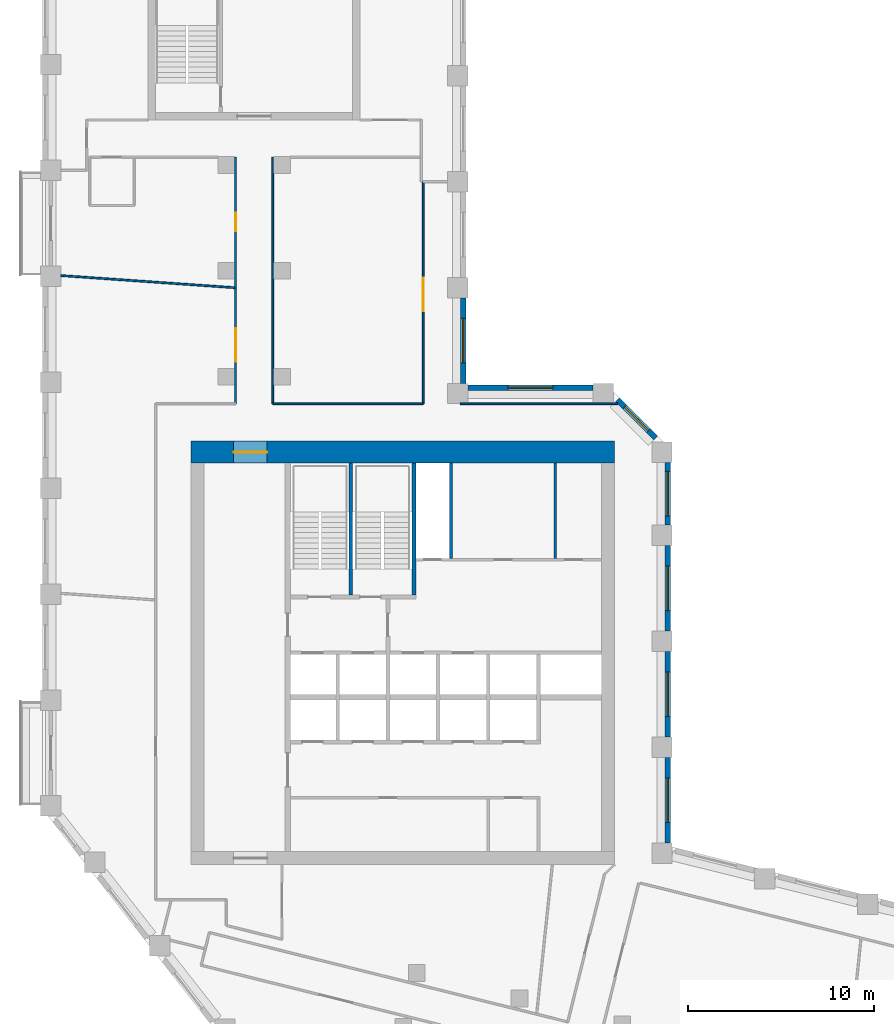
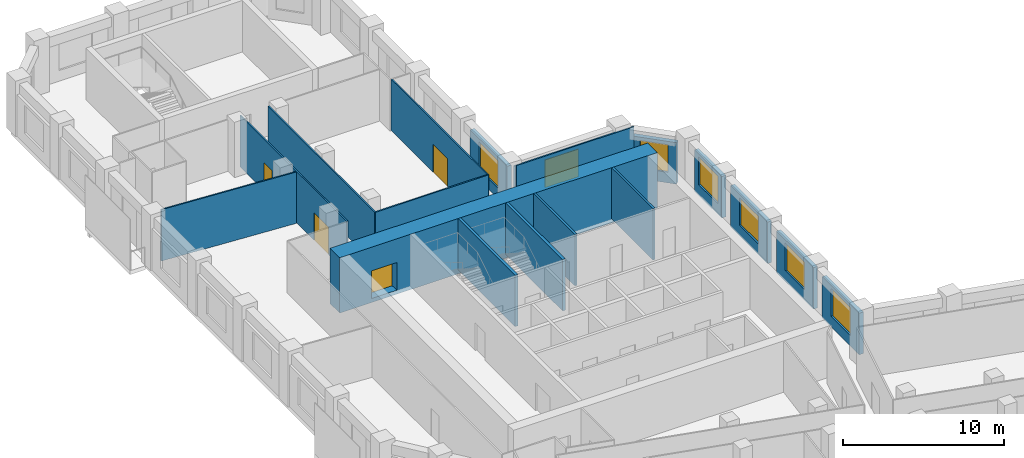
# One storey, part 6 of 10: 18 walls, 7 windows, 4 doors, 11 openings.
"""IFC4 building model written with IfcOpenShell, lengths in metres."""

from ifc_helpers import new_model, si_unit, direction, frame, frame_2d, origin, place, context, subcontext, project, spatial, rectangle, extrude, material, layer, layer_set, type_object, element, fill, save


model = new_model("IFC4")

# Units and contexts
model_context = context("Model", 3, precision=1e-05, world=origin(), true_north=direction((0.0, 1.0)))
body_context = subcontext(model_context, "Body", "Model", "MODEL_VIEW")
ifc_project = project(units=[si_unit("LENGTHUNIT", "METRE"), si_unit("AREAUNIT", "SQUARE_METRE"), si_unit("VOLUMEUNIT", "CUBIC_METRE"), si_unit("PLANEANGLEUNIT", "RADIAN"), si_unit("MASSUNIT", "GRAM", prefix="KILO")], contexts=[model_context])

# Site, building, storey
site_placement = place(None, origin())
site = spatial("IfcSite", under=ifc_project, at=site_placement, CompositionType="ELEMENT")
building_placement = place(site_placement, origin())
building = spatial("IfcBuilding", under=site, at=building_placement, Name="Meshkara Civic Tower", CompositionType="ELEMENT")
storey_placement = place(building_placement, frame((0.0, 0.0, 234.0)))
storey = spatial("IfcBuildingStorey", under=building, at=storey_placement, Name="L53", CompositionType="ELEMENT", Elevation=234.0)

# Walls
ifc_material_1 = material(Name="Blockwork", Category="masonry")
ifc_layer_1 = layer(ifc_material_1, 0.14990234375)
ifc_layer_set_1 = layer_set([ifc_layer_1], Name="Core partition 150")
wall_type_1 = type_object("IfcWallType", Name="Core partition 150", PredefinedType="PARTITIONING", material=ifc_layer_set_1)
for number, where, z_axis, x_axis, name in (
    (1, (22.0, 30.574951171875, 0.0), (0.0, 0.0, 1.0), (0.0, 1.0, 0.0), "L53-C017"),
    (2, (27.60009765625, 30.574951171875, 0.0), (0.0, 0.0, 1.0), (0.0, 1.0, 0.0), "L53-C022"),
):
    element("IfcWall", number, at=place(storey_placement, frame(where, z_axis=z_axis, x_axis=x_axis)), inside=storey, type_object=wall_type_1, Name=name, PredefinedType="PARTITIONING", context=body_context, shape_type="SweptSolid", body=[
        extrude(rectangle(XDim=5.125, YDim=0.14990234375, at=frame_2d((2.5625, 0.0))), origin(), (0.0, 0.0, 1.0), 3.89990234375),
    ])

# Wall, opening, door
ifc_material_2 = material(Name="Concrete C60", Category="concrete")
ifc_layer_2 = layer(ifc_material_2, 1.199951171875)
ifc_layer_set_2 = layer_set([ifc_layer_2], Name="Core ring wall 1200 C60")
wall_type_2 = type_object("IfcWallType", Name="Core ring wall 1200 C60", PredefinedType="SHEAR", material=ifc_layer_set_2)
wall_1_placement = place(storey_placement, frame((8.0, 36.300048828125, -0.300048828125), z_axis=(0.0, 0.0, 1.0), x_axis=(1.0, 0.0, 0.0)))
wall_1 = element("IfcWall", 3, at=wall_1_placement, inside=storey, type_object=wall_type_2, Name="L53-C002", PredefinedType="SHEAR", context=body_context, shape_type="SweptSolid", body=[
    extrude(rectangle(XDim=22.800048828125, YDim=1.199951171875, at=frame_2d((11.39990234375, 0.0))), origin(), (0.0, 0.0, 1.0), 4.199951171875),
])
opening_1_placement = place(wall_1_placement, frame((2.300048828125, 0.0, 0.300048828125)))
opening_1 = element("IfcOpeningElement", 4, at=opening_1_placement, cuts=wall_1, Name="Opening L53-K020", PredefinedType="OPENING", context=body_context, shape_type="SweptSolid", body=[
    extrude(rectangle(XDim=1.800048828125, YDim=2.10009765625, at=frame_2d((0.89990234375, 1.050048828125))), frame((0.0, 0.60986328125, 0.0), z_axis=(0.0, -1.0, 0.0), x_axis=(1.0, 0.0, 0.0)), (0.0, 0.0, 1.0), 1.219970703125),
])
ifc_material_3 = material(Name="Fire-rated door leaf in steel frame", Category="steel")
door_type_1 = type_object("IfcDoorType", Name="Core double door 1800 EI 60", OperationType="DOUBLE_DOOR_SINGLE_SWING", PredefinedType="DOOR", material=ifc_material_3)
door_1_placement = place(opening_1_placement, origin())
door_1 = element("IfcDoor", 5, at=door_1_placement, inside=storey, type_object=door_type_1, Name="L53-K020", OperationType="DOUBLE_DOOR_SINGLE_SWING", OverallHeight=2.10009765625, OverallWidth=1.800048828125, PredefinedType="DOOR", context=body_context, shape_type="SweptSolid", body=[
    extrude(rectangle(XDim=1.800048828125, YDim=2.10009765625, at=frame_2d((0.89990234375, 1.050048828125))), frame((0.0, 0.02490234375, 0.0), z_axis=(0.0, -1.0, 0.0), x_axis=(1.0, 0.0, 0.0)), (0.0, 0.0, 1.0), 0.050048828125),
])
fill(opening_1, door_1)

# Wall, openings, doors
ifc_material_4 = material(Name="Corridor wall 100")
ifc_layer_3 = layer(ifc_material_4, 0.10009765625)
ifc_layer_set_3 = layer_set([ifc_layer_3], Name="Corridor wall 100")
wall_type_3 = type_object("IfcWallType", Name="Corridor wall 100", PredefinedType="PARTITIONING", material=ifc_layer_set_3)
wall_2_placement = place(storey_placement, frame((10.39990234375, 52.169921875, 0.0), z_axis=(0.0, 0.0, 1.0), x_axis=(0.0, -1.0, 0.0)))
wall_2 = element("IfcWall", 6, at=wall_2_placement, inside=storey, type_object=wall_type_3, Name="L53-W012", PredefinedType="PARTITIONING", context=body_context, shape_type="SweptSolid", body=[
    extrude(rectangle(XDim=13.27001953125, YDim=0.10009765625, at=frame_2d((6.635009765625, 0.0))), origin(), (0.0, 0.0, 1.0), 3.89990234375),
])
opening_2_placement = place(wall_2_placement, frame((9.2060546875, 0.0, 0.0)))
opening_2 = element("IfcOpeningElement", 7, at=opening_2_placement, cuts=wall_2, Name="Opening L53-D014", PredefinedType="OPENING", context=body_context, shape_type="SweptSolid", body=[
    extrude(rectangle(XDim=1.800048828125, YDim=2.10009765625, at=frame_2d((0.89990234375, 1.050048828125))), frame((0.0, 0.06005859375, 0.0), z_axis=(0.0, -1.0, 0.0), x_axis=(1.0, 0.0, 0.0)), (0.0, 0.0, 1.0), 0.1201171875),
])
opening_3_placement = place(wall_2_placement, frame((2.97998046875, 0.0, 0.0)))
opening_3 = element("IfcOpeningElement", 8, at=opening_3_placement, cuts=wall_2, Name="Opening L53-D018", PredefinedType="OPENING", context=body_context, shape_type="SweptSolid", body=[
    extrude(rectangle(XDim=1.0, YDim=2.10009765625, at=frame_2d((0.5, 1.050048828125))), frame((0.0, 0.06005859375, 0.0), z_axis=(0.0, -1.0, 0.0), x_axis=(1.0, 0.0, 0.0)), (0.0, 0.0, 1.0), 0.1201171875),
])
ifc_material_5 = material(Name="Door 1000 x 2100")
door_type_2 = type_object("IfcDoorType", Name="Door 1000 x 2100", OperationType="SINGLE_SWING_LEFT", PredefinedType="DOOR", material=ifc_material_5)
door_2_placement = place(opening_3_placement, origin())
door_2 = element("IfcDoor", 9, at=door_2_placement, inside=storey, type_object=door_type_2, Name="L53-D018", OperationType="SINGLE_SWING_RIGHT", OverallHeight=2.10009765625, OverallWidth=1.0, PredefinedType="DOOR", context=body_context, shape_type="SweptSolid", body=[
    extrude(rectangle(XDim=1.0, YDim=2.10009765625, at=frame_2d((0.5, 1.050048828125))), frame((0.0, 0.02490234375, 0.0), z_axis=(0.0, -1.0, 0.0), x_axis=(1.0, 0.0, 0.0)), (0.0, 0.0, 1.0), 0.050048828125),
])
fill(opening_3, door_2)
ifc_material_6 = material(Name="Door pair 1800 x 2100")
door_type_3 = type_object("IfcDoorType", Name="Door pair 1800 x 2100", OperationType="SINGLE_SWING_LEFT", PredefinedType="DOOR", material=ifc_material_6)
door_3_placement = place(opening_2_placement, origin())
door_3 = element("IfcDoor", 10, at=door_3_placement, inside=storey, type_object=door_type_3, Name="L53-D014", OperationType="DOUBLE_DOOR_SINGLE_SWING", OverallHeight=2.10009765625, OverallWidth=1.800048828125, PredefinedType="DOOR", context=body_context, shape_type="SweptSolid", body=[
    extrude(rectangle(XDim=1.800048828125, YDim=2.10009765625, at=frame_2d((0.89990234375, 1.050048828125))), frame((0.0, 0.02490234375, 0.0), z_axis=(0.0, -1.0, 0.0), x_axis=(1.0, 0.0, 0.0)), (0.0, 0.0, 1.0), 0.050048828125),
])
fill(opening_2, door_3)

# Walls
wall_3_placement = place(storey_placement, frame((12.39990234375, 38.89990234375, 0.0), z_axis=(0.0, 0.0, 1.0), x_axis=(0.0, 1.0, 0.0)))
element("IfcWall", 11, at=wall_3_placement, inside=storey, type_object=wall_type_3, Name="L53-W013", PredefinedType="PARTITIONING", context=body_context, shape_type="SweptSolid", body=[
    extrude(rectangle(XDim=13.27001953125, YDim=0.10009765625, at=frame_2d((6.635009765625, 0.0))), origin(), (0.0, 0.0, 1.0), 3.89990234375),
])
wall_4_placement = place(storey_placement, frame((20.5, 38.89990234375, 0.0), z_axis=(0.0, 0.0, 1.0), x_axis=(-1.0, 0.0, 0.0)))
element("IfcWall", 12, at=wall_4_placement, inside=storey, type_object=wall_type_3, Name="L53-W018", PredefinedType="PARTITIONING", context=body_context, shape_type="SweptSolid", body=[
    extrude(rectangle(XDim=8.10009765625, YDim=0.10009765625, at=frame_2d((4.050048828125, 0.0))), origin(), (0.0, 0.0, 1.0), 3.89990234375),
])

# Wall, opening, door
wall_5_placement = place(storey_placement, frame((20.5, 50.85009765625, 0.0), z_axis=(0.0, 0.0, 1.0), x_axis=(0.0, -1.0, 0.0)))
wall_5 = element("IfcWall", 13, at=wall_5_placement, inside=storey, type_object=wall_type_3, Name="L53-W019", PredefinedType="PARTITIONING", context=body_context, shape_type="SweptSolid", body=[
    extrude(rectangle(XDim=11.9501953125, YDim=0.10009765625, at=frame_2d((5.97509765625, 0.0))), origin(), (0.0, 0.0, 1.0), 3.89990234375),
])
opening_4_placement = place(wall_5_placement, frame((5.179931640625, 0.0, 0.0)))
opening_4 = element("IfcOpeningElement", 14, at=opening_4_placement, cuts=wall_5, Name="Opening L53-D015", PredefinedType="OPENING", context=body_context, shape_type="SweptSolid", body=[
    extrude(rectangle(XDim=1.800048828125, YDim=2.10009765625, at=frame_2d((0.89990234375, 1.050048828125))), frame((0.0, 0.06005859375, 0.0), z_axis=(0.0, -1.0, 0.0), x_axis=(1.0, 0.0, 0.0)), (0.0, 0.0, 1.0), 0.1201171875),
])
door_4_placement = place(opening_4_placement, origin())
door_4 = element("IfcDoor", 15, at=door_4_placement, inside=storey, type_object=door_type_3, Name="L53-D015", OperationType="DOUBLE_DOOR_SINGLE_SWING", OverallHeight=2.10009765625, OverallWidth=1.800048828125, PredefinedType="DOOR", context=body_context, shape_type="SweptSolid", body=[
    extrude(rectangle(XDim=1.800048828125, YDim=2.10009765625, at=frame_2d((0.89990234375, 1.050048828125))), frame((0.0, 0.02490234375, 0.0), z_axis=(0.0, -1.0, 0.0), x_axis=(1.0, 0.0, 0.0)), (0.0, 0.0, 1.0), 0.050048828125),
])
fill(opening_4, door_4)

# Wall
wall_6_placement = place(storey_placement, frame((30.9560546875, 38.89990234375, 0.0), z_axis=(0.0, 0.0, 1.0), x_axis=(-1.0, 0.0, 0.0)))
element("IfcWall", 16, at=wall_6_placement, inside=storey, type_object=wall_type_3, Name="L53-W025", PredefinedType="PARTITIONING", context=body_context, shape_type="SweptSolid", body=[
    extrude(rectangle(XDim=8.4560546875, YDim=0.10009765625, at=frame_2d((4.22802734375, 0.0))), origin(), (0.0, 0.0, 1.0), 3.89990234375),
])

# Wall, opening, window
ifc_material_7 = material(Name="Insulated infill panel with bronze anodised aluminium cladding", Category="aluminium")
ifc_layer_4 = layer(ifc_material_7, 0.300048828125)
ifc_layer_set_4 = layer_set([ifc_layer_4], Name="EXTERNAL INFILL WALL 300")
wall_type_4 = type_object("IfcWallType", Name="EXTERNAL INFILL WALL 300", PredefinedType="SOLIDWALL", material=ifc_layer_set_4)
wall_7_placement = place(storey_placement, frame((33.64990234375, 15.26904296875, 0.0), z_axis=(0.0, 0.0, 1.0), x_axis=(0.0, 1.0, 0.0)))
wall_7 = element("IfcWall", 17, at=wall_7_placement, inside=storey, type_object=wall_type_4, Name="External wall", PredefinedType="SOLIDWALL", context=body_context, shape_type="SweptSolid", body=[
    extrude(rectangle(XDim=4.599853515625, YDim=0.300048828125, at=frame_2d((2.2998046875, 0.0))), origin(), (0.0, 0.0, 1.0), 3.14990234375),
])
opening_5_placement = place(wall_7_placement, frame((1.10009765625, 0.0, 0.800048828125)))
opening_5 = element("IfcOpeningElement", 18, at=opening_5_placement, cuts=wall_7, Name="Opening W7", PredefinedType="OPENING", context=body_context, shape_type="SweptSolid", body=[
    extrude(rectangle(XDim=2.39990234375, YDim=2.10009765625, at=frame_2d((1.199951171875, 1.050048828125))), frame((0.0, 0.159912109375, 0.0), z_axis=(0.0, -1.0, 0.0), x_axis=(1.0, 0.0, 0.0)), (0.0, 0.0, 1.0), 0.320068359375),
])
ifc_material_8 = material(Name="Tinted double glazing", Category="glass")
window_type_1 = type_object("IfcWindowType", Name="WINDOW 2400x2100", PartitioningType="DOUBLE_PANEL_VERTICAL", PredefinedType="WINDOW", material=ifc_material_8)
window_1_placement = place(opening_5_placement, origin())
window_1 = element("IfcWindow", 19, at=window_1_placement, inside=storey, type_object=window_type_1, Name="Window", OverallHeight=2.10009765625, OverallWidth=2.39990234375, PartitioningType="DOUBLE_PANEL_VERTICAL", PredefinedType="WINDOW", context=body_context, shape_type="SweptSolid", body=[
    extrude(rectangle(XDim=2.39990234375, YDim=2.10009765625, at=frame_2d((1.199951171875, 1.050048828125))), frame((0.0, 0.030029296875, 0.0), z_axis=(0.0, -1.0, 0.0), x_axis=(1.0, 0.0, 0.0)), (0.0, 0.0, 1.0), 0.06005859375),
])
fill(opening_5, window_1)

wall_8_placement = place(storey_placement, frame((33.64990234375, 20.968994140625, 0.0), z_axis=(0.0, 0.0, 1.0), x_axis=(0.0, 1.0, 0.0)))
wall_8 = element("IfcWall", 20, at=wall_8_placement, inside=storey, type_object=wall_type_4, Name="External wall", PredefinedType="SOLIDWALL", context=body_context, shape_type="SweptSolid", body=[
    extrude(rectangle(XDim=4.60009765625, YDim=0.300048828125, at=frame_2d((2.300048828125, 0.0))), origin(), (0.0, 0.0, 1.0), 3.14990234375),
])
opening_6_placement = place(wall_8_placement, frame((1.10009765625, 0.0, 0.800048828125)))
opening_6 = element("IfcOpeningElement", 21, at=opening_6_placement, cuts=wall_8, Name="Opening W7", PredefinedType="OPENING", context=body_context, shape_type="SweptSolid", body=[
    extrude(rectangle(XDim=2.39990234375, YDim=2.10009765625, at=frame_2d((1.199951171875, 1.050048828125))), frame((0.0, 0.159912109375, 0.0), z_axis=(0.0, -1.0, 0.0), x_axis=(1.0, 0.0, 0.0)), (0.0, 0.0, 1.0), 0.320068359375),
])
window_2_placement = place(opening_6_placement, origin())
window_2 = element("IfcWindow", 22, at=window_2_placement, inside=storey, type_object=window_type_1, Name="Window", OverallHeight=2.10009765625, OverallWidth=2.39990234375, PartitioningType="DOUBLE_PANEL_VERTICAL", PredefinedType="WINDOW", context=body_context, shape_type="SweptSolid", body=[
    extrude(rectangle(XDim=2.39990234375, YDim=2.10009765625, at=frame_2d((1.199951171875, 1.050048828125))), frame((0.0, 0.030029296875, 0.0), z_axis=(0.0, -1.0, 0.0), x_axis=(1.0, 0.0, 0.0)), (0.0, 0.0, 1.0), 0.06005859375),
])
fill(opening_6, window_2)

wall_9_placement = place(storey_placement, frame((33.64990234375, 26.6689453125, 0.0), z_axis=(0.0, 0.0, 1.0), x_axis=(0.0, 1.0, 0.0)))
wall_9 = element("IfcWall", 23, at=wall_9_placement, inside=storey, type_object=wall_type_4, Name="External wall", PredefinedType="SOLIDWALL", context=body_context, shape_type="SweptSolid", body=[
    extrude(rectangle(XDim=4.60009765625, YDim=0.300048828125, at=frame_2d((2.300048828125, 0.0))), origin(), (0.0, 0.0, 1.0), 3.14990234375),
])
opening_7_placement = place(wall_9_placement, frame((1.10009765625, 0.0, 0.800048828125)))
opening_7 = element("IfcOpeningElement", 24, at=opening_7_placement, cuts=wall_9, Name="Opening W7", PredefinedType="OPENING", context=body_context, shape_type="SweptSolid", body=[
    extrude(rectangle(XDim=2.39990234375, YDim=2.10009765625, at=frame_2d((1.199951171875, 1.050048828125))), frame((0.0, 0.159912109375, 0.0), z_axis=(0.0, -1.0, 0.0), x_axis=(1.0, 0.0, 0.0)), (0.0, 0.0, 1.0), 0.320068359375),
])
window_3_placement = place(opening_7_placement, origin())
window_3 = element("IfcWindow", 25, at=window_3_placement, inside=storey, type_object=window_type_1, Name="Window", OverallHeight=2.10009765625, OverallWidth=2.39990234375, PartitioningType="DOUBLE_PANEL_VERTICAL", PredefinedType="WINDOW", context=body_context, shape_type="SweptSolid", body=[
    extrude(rectangle(XDim=2.39990234375, YDim=2.10009765625, at=frame_2d((1.199951171875, 1.050048828125))), frame((0.0, 0.030029296875, 0.0), z_axis=(0.0, -1.0, 0.0), x_axis=(1.0, 0.0, 0.0)), (0.0, 0.0, 1.0), 0.06005859375),
])
fill(opening_7, window_3)

wall_10_placement = place(storey_placement, frame((33.64990234375, 32.368896484375, 0.0), z_axis=(0.0, 0.0, 1.0), x_axis=(0.0, 1.0, 0.0)))
wall_10 = element("IfcWall", 26, at=wall_10_placement, inside=storey, type_object=wall_type_4, Name="External wall", PredefinedType="SOLIDWALL", context=body_context, shape_type="SweptSolid", body=[
    extrude(rectangle(XDim=3.375, YDim=0.300048828125, at=frame_2d((1.6875, 0.0))), origin(), (0.0, 0.0, 1.0), 3.14990234375),
])
opening_8_placement = place(wall_10_placement, frame((0.488037109375, 0.0, 0.800048828125)))
opening_8 = element("IfcOpeningElement", 27, at=opening_8_placement, cuts=wall_10, Name="Opening W7", PredefinedType="OPENING", context=body_context, shape_type="SweptSolid", body=[
    extrude(rectangle(XDim=2.39990234375, YDim=2.10009765625, at=frame_2d((1.199951171875, 1.050048828125))), frame((0.0, 0.159912109375, 0.0), z_axis=(0.0, -1.0, 0.0), x_axis=(1.0, 0.0, 0.0)), (0.0, 0.0, 1.0), 0.320068359375),
])
window_4_placement = place(opening_8_placement, origin())
window_4 = element("IfcWindow", 28, at=window_4_placement, inside=storey, type_object=window_type_1, Name="Window", OverallHeight=2.10009765625, OverallWidth=2.39990234375, PartitioningType="DOUBLE_PANEL_VERTICAL", PredefinedType="WINDOW", context=body_context, shape_type="SweptSolid", body=[
    extrude(rectangle(XDim=2.39990234375, YDim=2.10009765625, at=frame_2d((1.199951171875, 1.050048828125))), frame((0.0, 0.030029296875, 0.0), z_axis=(0.0, -1.0, 0.0), x_axis=(1.0, 0.0, 0.0)), (0.0, 0.0, 1.0), 0.06005859375),
])
fill(opening_8, window_4)

wall_11_placement = place(storey_placement, frame((33.011962890625, 37.055908203125, 0.0), z_axis=(0.0, 0.0, 1.0), x_axis=(-0.707064797706, 0.707148762175, 0.0)))
wall_11 = element("IfcWall", 29, at=wall_11_placement, inside=storey, type_object=wall_type_4, Name="External wall", PredefinedType="SOLIDWALL", context=body_context, shape_type="SweptSolid", body=[
    extrude(rectangle(XDim=2.90771484375, YDim=0.300048828125, at=frame_2d((1.453857421875, 0.0))), origin(), (0.0, 0.0, 1.0), 3.14990234375),
])
opening_9_placement = place(wall_11_placement, frame((0.553955078125, 0.0, 0.800048828125)))
opening_9 = element("IfcOpeningElement", 30, at=opening_9_placement, cuts=wall_11, Name="Opening W9", PredefinedType="OPENING", context=body_context, shape_type="SweptSolid", body=[
    extrude(rectangle(XDim=1.800048828125, YDim=2.10009765625, at=frame_2d((0.89990234375, 1.050048828125))), frame((0.0, 0.159912109375, 0.0), z_axis=(0.0, -1.0, 0.0), x_axis=(1.0, 0.0, 0.0)), (0.0, 0.0, 1.0), 0.320068359375),
])
ifc_material_9 = material(Name="Tinted double glazing", Category="glass")
window_type_2 = type_object("IfcWindowType", Name="WINDOW 1800x2100", PartitioningType="DOUBLE_PANEL_VERTICAL", PredefinedType="WINDOW", material=ifc_material_9)
window_5_placement = place(opening_9_placement, origin())
window_5 = element("IfcWindow", 31, at=window_5_placement, inside=storey, type_object=window_type_2, Name="Window", OverallHeight=2.10009765625, OverallWidth=1.800048828125, PartitioningType="DOUBLE_PANEL_VERTICAL", PredefinedType="WINDOW", context=body_context, shape_type="SweptSolid", body=[
    extrude(rectangle(XDim=1.800048828125, YDim=2.10009765625, at=frame_2d((0.89990234375, 1.050048828125))), frame((0.0, 0.030029296875, 0.0), z_axis=(0.0, -1.0, 0.0), x_axis=(1.0, 0.0, 0.0)), (0.0, 0.0, 1.0), 0.06005859375),
])
fill(opening_9, window_5)

wall_12_placement = place(storey_placement, frame((29.64404296875, 39.75, 0.0), z_axis=(0.0, 0.0, 1.0), x_axis=(-1.0, 0.0, 0.0)))
wall_12 = element("IfcWall", 32, at=wall_12_placement, inside=storey, type_object=wall_type_4, Name="External wall", PredefinedType="SOLIDWALL", context=body_context, shape_type="SweptSolid", body=[
    extrude(rectangle(XDim=6.744140625, YDim=0.300048828125, at=frame_2d((3.3720703125, 0.0))), origin(), (0.0, 0.0, 1.0), 3.14990234375),
])
opening_10_placement = place(wall_12_placement, frame((2.172119140625, 0.0, 0.800048828125)))
opening_10 = element("IfcOpeningElement", 33, at=opening_10_placement, cuts=wall_12, Name="Opening W7", PredefinedType="OPENING", context=body_context, shape_type="SweptSolid", body=[
    extrude(rectangle(XDim=2.39990234375, YDim=2.10009765625, at=frame_2d((1.199951171875, 1.050048828125))), frame((0.0, 0.159912109375, 0.0), z_axis=(0.0, -1.0, 0.0), x_axis=(1.0, 0.0, 0.0)), (0.0, 0.0, 1.0), 0.320068359375),
])
window_6_placement = place(opening_10_placement, origin())
window_6 = element("IfcWindow", 34, at=window_6_placement, inside=storey, type_object=window_type_1, Name="Window", OverallHeight=2.10009765625, OverallWidth=2.39990234375, PartitioningType="DOUBLE_PANEL_VERTICAL", PredefinedType="WINDOW", context=body_context, shape_type="SweptSolid", body=[
    extrude(rectangle(XDim=2.39990234375, YDim=2.10009765625, at=frame_2d((1.199951171875, 1.050048828125))), frame((0.0, 0.030029296875, 0.0), z_axis=(0.0, -1.0, 0.0), x_axis=(1.0, 0.0, 0.0)), (0.0, 0.0, 1.0), 0.06005859375),
])
fill(opening_10, window_6)

wall_13_placement = place(storey_placement, frame((22.64990234375, 40.0, 0.0), z_axis=(0.0, 0.0, 1.0), x_axis=(0.0, 1.0, 0.0)))
wall_13 = element("IfcWall", 35, at=wall_13_placement, inside=storey, type_object=wall_type_4, Name="External wall", PredefinedType="SOLIDWALL", context=body_context, shape_type="SweptSolid", body=[
    extrude(rectangle(XDim=4.60009765625, YDim=0.300048828125, at=frame_2d((2.300048828125, 0.0))), origin(), (0.0, 0.0, 1.0), 3.14990234375),
])
opening_11_placement = place(wall_13_placement, frame((1.10009765625, 0.0, 0.800048828125)))
opening_11 = element("IfcOpeningElement", 36, at=opening_11_placement, cuts=wall_13, Name="Opening W7", PredefinedType="OPENING", context=body_context, shape_type="SweptSolid", body=[
    extrude(rectangle(XDim=2.39990234375, YDim=2.10009765625, at=frame_2d((1.199951171875, 1.050048828125))), frame((0.0, 0.159912109375, 0.0), z_axis=(0.0, -1.0, 0.0), x_axis=(1.0, 0.0, 0.0)), (0.0, 0.0, 1.0), 0.320068359375),
])
window_7_placement = place(opening_11_placement, origin())
window_7 = element("IfcWindow", 37, at=window_7_placement, inside=storey, type_object=window_type_1, Name="Window", OverallHeight=2.10009765625, OverallWidth=2.39990234375, PartitioningType="DOUBLE_PANEL_VERTICAL", PredefinedType="WINDOW", context=body_context, shape_type="SweptSolid", body=[
    extrude(rectangle(XDim=2.39990234375, YDim=2.10009765625, at=frame_2d((1.199951171875, 1.050048828125))), frame((0.0, 0.030029296875, 0.0), z_axis=(0.0, -1.0, 0.0), x_axis=(1.0, 0.0, 0.0)), (0.0, 0.0, 1.0), 0.06005859375),
])
fill(opening_11, window_7)

# Walls
ifc_material_10 = material(Name="Partition 100")
ifc_layer_5 = layer(ifc_material_10, 0.10009765625)
ifc_layer_set_5 = layer_set([ifc_layer_5], Name="Partition 100")
wall_type_5 = type_object("IfcWallType", Name="Partition 100", PredefinedType="PARTITIONING", material=ifc_layer_set_5)
wall_14_placement = place(storey_placement, frame((10.346923828125, 45.14404296875, 0.0), z_axis=(0.0, 0.0, 1.0), x_axis=(-0.997567943391, 0.069700777029, 0.0)))
element("IfcWall", 38, at=wall_14_placement, inside=storey, type_object=wall_type_5, Name="L53-W047", PredefinedType="PARTITIONING", context=body_context, shape_type="SweptSolid", body=[
    extrude(rectangle(XDim=9.36962890625, YDim=0.10009765625, at=frame_2d((4.684814453125, 0.0))), origin(), (0.0, 0.0, 1.0), 3.89990234375),
])
ifc_material_11 = material(Name="Concrete C40/50", Category="concrete")
ifc_layer_6 = layer(ifc_material_11, 0.199951171875)
ifc_layer_set_6 = layer_set([ifc_layer_6], Name="Stair enclosure wall 200 C40/50")
wall_type_6 = type_object("IfcWallType", Name="Stair enclosure wall 200 C40/50", PredefinedType="SOLIDWALL", material=ifc_layer_set_6)
for number, where, z_axis, x_axis, name in (
    (39, (16.60009765625, 28.60009765625, 0.0), (0.0, 0.0, 1.0), (0.0, 1.0, 0.0), "L53-C013"),
    (40, (20.0, 28.60009765625, 0.0), (0.0, 0.0, 1.0), (0.0, 1.0, 0.0), "L53-C015"),
):
    element("IfcWall", number, at=place(storey_placement, frame(where, z_axis=z_axis, x_axis=x_axis)), inside=storey, type_object=wall_type_6, Name=name, PredefinedType="SOLIDWALL", context=body_context, shape_type="SweptSolid", body=[
        extrude(rectangle(XDim=7.099853515625, YDim=0.199951171875, at=frame_2d((3.5498046875, 0.0))), origin(), (0.0, 0.0, 1.0), 3.89990234375),
    ])

save(model, "model.ifc")
